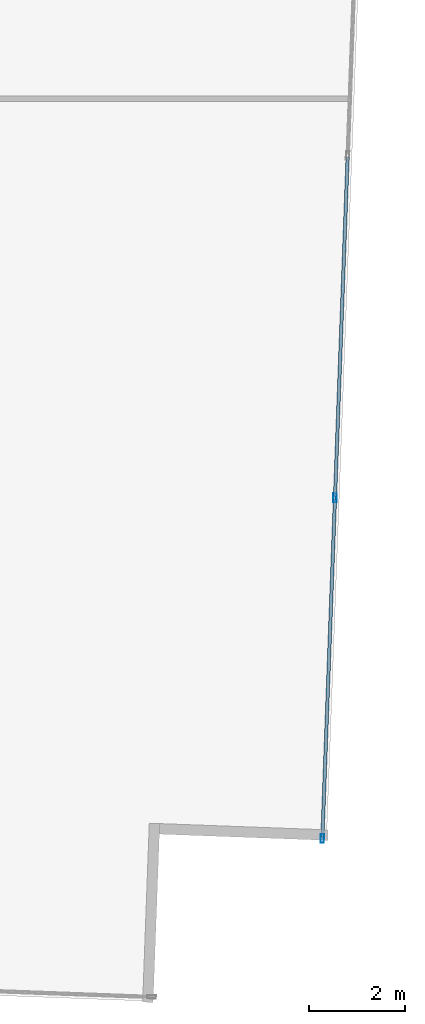
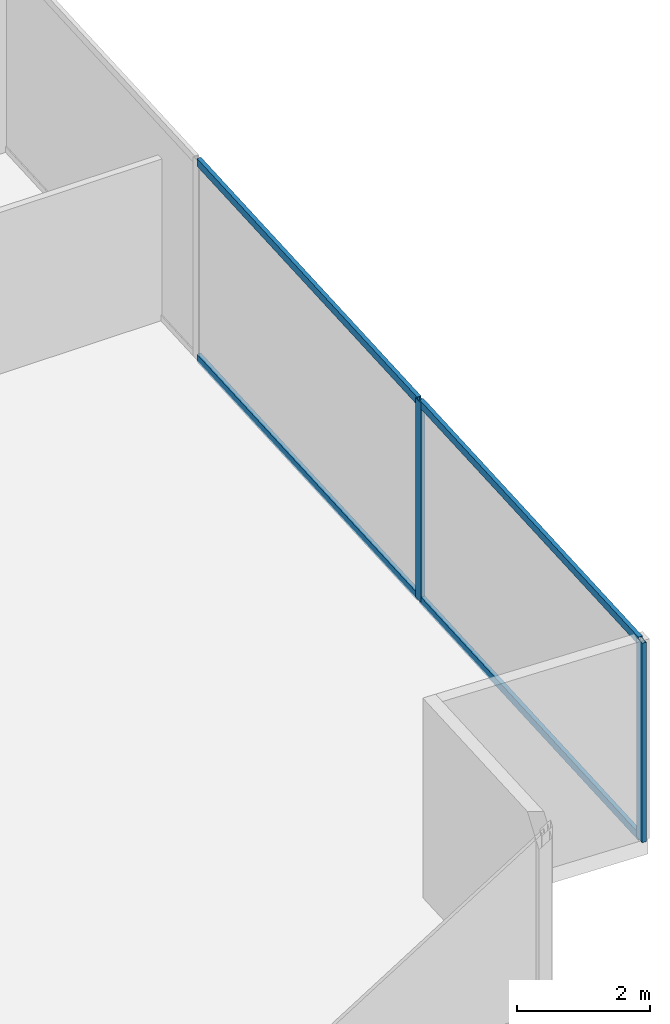
# One storey, part 14 of 30: 6 members, 1 element without a shape of its own.
"""IFC4 building model written with IfcOpenShell, lengths in metres."""

from ifc_helpers import new_model, si_unit, direction, frame, origin, origin_2d, place, context, subcontext, project, spatial, hollow_rectangle, extrude, source, transform, mapped, material, material_profile, profile_set, type_object, type_shapes, element, aggregate, save


model = new_model("IFC4")

# Units and contexts
model_context = context("Model", 3, precision=1e-05, world=origin(), true_north=direction((0.0, 1.0)))
body_context = subcontext(model_context, "Body", "Model", "MODEL_VIEW")
ifc_project = project(units=[si_unit("LENGTHUNIT", "METRE"), si_unit("AREAUNIT", "SQUARE_METRE"), si_unit("VOLUMEUNIT", "CUBIC_METRE"), si_unit("PLANEANGLEUNIT", "RADIAN"), si_unit("MASSUNIT", "GRAM", prefix="KILO")], contexts=[model_context])

# Site, building, storey
site_placement = place(None, origin())
site = spatial("IfcSite", under=ifc_project, at=site_placement, CompositionType="ELEMENT")
building_placement = place(site_placement, origin())
building = spatial("IfcBuilding", under=site, at=building_placement, Name="Krantzveldt Concourse Tower", CompositionType="ELEMENT")
storey_placement = place(building_placement, frame((0.0, 0.0, 36.85009765625)))
storey = spatial("IfcBuildingStorey", under=building, at=storey_placement, Name="L08", CompositionType="ELEMENT", Elevation=36.85009765625)

# Curtain wall, members
ifc_material = material(Name="Anodised aluminium 6063-T6", Category="aluminium")
curtain_wall_type = type_object("IfcCurtainWallType", Name="CW2", PredefinedType="USERDEFINED", material=ifc_material)
curtain_wall_placement = place(storey_placement, origin())
curtain_wall = element("IfcCurtainWall", 1, at=curtain_wall_placement, inside=storey, type_object=curtain_wall_type, Name="CW-L08-F07", ObjectType="UNITISED CURTAIN WALL", PredefinedType="USERDEFINED")
ifc_material_profile_1 = material_profile(ifc_material, hollow_rectangle(XDim=0.070068359375, YDim=0.179931640625, WallThickness=0.0048828125, at=origin_2d()), Name="Anodised aluminium 6063-T6", Category="aluminium")
ifc_profile_set_1 = profile_set([ifc_material_profile_1], Name="Anodised aluminium 6063-T6 - ALU-MULL 180x70x5")
member_type_1 = type_object("IfcMemberType", Name="CW-MUL-180", PredefinedType="MULLION", material=ifc_profile_set_1)
shared_shape_1 = source(origin(), body_context, "Body", "SweptSolid", [
    extrude(hollow_rectangle(XDim=0.070068359375, YDim=0.179931640625, WallThickness=0.0048828125, at=origin_2d()), origin(), (0.0, 0.0, 1.0), 3.669921875),
])
type_shapes(member_type_1, [shared_shape_1])
member_1_placement = place(storey_placement, frame((60.096923828125, 4.326171875, 0.0), z_axis=(0.0, 0.0, 1.0), x_axis=(-0.999312308986, 0.037079766834, 0.0)))
member_1 = element("IfcMember", 2, at=member_1_placement, type_object=member_type_1, Name="CW-Z12 mullion 1", PredefinedType="MULLION", context=body_context, shape_type="MappedRepresentation", body=[
    mapped(shared_shape_1, transform((0.0, 0.0, 0.0), x_axis=(1.0, 0.0, 0.0), y_axis=(0.0, 1.0, 0.0), z_axis=(0.0, 0.0, 1.0), scale=1.0)),
])
member_2_placement = place(storey_placement, frame((60.361328125, 11.452880859375, 0.0), z_axis=(0.0, 0.0, 1.0), x_axis=(-0.999312308986, 0.037079766834, 0.0)))
member_2 = element("IfcMember", 3, at=member_2_placement, type_object=member_type_1, Name="CW-Z12 mullion 2", PredefinedType="MULLION", context=body_context, shape_type="MappedRepresentation", body=[
    mapped(shared_shape_1, transform((0.0, 0.0, 0.0), x_axis=(1.0, 0.0, 0.0), y_axis=(0.0, 1.0, 0.0), z_axis=(0.0, 0.0, 1.0), scale=1.0)),
])
ifc_material_profile_2 = material_profile(ifc_material, hollow_rectangle(XDim=0.070068359375, YDim=0.139892578125, WallThickness=0.0048828125, at=origin_2d()), Name="Anodised aluminium 6063-T6", Category="aluminium")
ifc_profile_set_2 = profile_set([ifc_material_profile_2], Name="Anodised aluminium 6063-T6 - ALU-TRAN 140x70x5")
member_type_2 = type_object("IfcMemberType", Name="CW-TRN-150", PredefinedType="USERDEFINED", material=ifc_profile_set_2)
shared_shape_2 = source(origin(), body_context, "Body", "SweptSolid", [
    extrude(hollow_rectangle(XDim=0.070068359375, YDim=0.139892578125, WallThickness=0.0048828125, at=origin_2d()), origin(), (0.0, 0.0, 1.0), 7.0966796875),
])
member_3_placement = place(storey_placement, frame((60.36279296875, 11.48779296875, 0.034912109375), z_axis=(0.037051105127, 0.999313372075, 0.0), x_axis=(-0.999313372075, 0.037051105127, 0.0)))
member_3 = element("IfcMember", 4, at=member_3_placement, type_object=member_type_2, Name="CW-Z12 transom 2.1", ObjectType="TRANSOM", PredefinedType="USERDEFINED", context=body_context, shape_type="MappedRepresentation", body=[
    mapped(shared_shape_2, transform((0.0, 0.0, 0.0), x_axis=(1.0, 0.0, 0.0), y_axis=(0.0, 1.0, 0.0), z_axis=(0.0, 0.0, 1.0), scale=1.0)),
])
member_4_placement = place(storey_placement, frame((60.36279296875, 11.48779296875, 3.635009765625), z_axis=(0.037051105127, 0.999313372075, 0.0), x_axis=(-0.999313372075, 0.037051105127, 0.0)))
member_4 = element("IfcMember", 5, at=member_4_placement, type_object=member_type_2, Name="CW-Z12 transom 2.2", ObjectType="TRANSOM", PredefinedType="USERDEFINED", context=body_context, shape_type="MappedRepresentation", body=[
    mapped(shared_shape_2, transform((0.0, 0.0, 0.0), x_axis=(1.0, 0.0, 0.0), y_axis=(0.0, 1.0, 0.0), z_axis=(0.0, 0.0, 1.0), scale=1.0)),
])
shared_shape_3 = source(origin(), body_context, "Body", "SweptSolid", [
    extrude(hollow_rectangle(XDim=0.070068359375, YDim=0.139892578125, WallThickness=0.0048828125, at=origin_2d()), origin(), (0.0, 0.0, 1.0), 7.061767578125),
])
type_shapes(member_type_2, [shared_shape_2, shared_shape_3])
member_5_placement = place(storey_placement, frame((60.09814453125, 4.361083984375, 0.034912109375), z_axis=(0.037096054624, 0.99931170449, 0.0), x_axis=(-0.99931170449, 0.037096054624, 0.0)))
member_5 = element("IfcMember", 6, at=member_5_placement, type_object=member_type_2, Name="CW-Z12 transom 1.1", ObjectType="TRANSOM", PredefinedType="USERDEFINED", context=body_context, shape_type="MappedRepresentation", body=[
    mapped(shared_shape_3, transform((0.0, 0.0, 0.0), x_axis=(1.0, 0.0, 0.0), y_axis=(0.0, 1.0, 0.0), z_axis=(0.0, 0.0, 1.0), scale=1.0)),
])
member_6_placement = place(storey_placement, frame((60.09814453125, 4.361083984375, 3.635009765625), z_axis=(0.037096054624, 0.99931170449, 0.0), x_axis=(-0.99931170449, 0.037096054624, 0.0)))
member_6 = element("IfcMember", 7, at=member_6_placement, type_object=member_type_2, Name="CW-Z12 transom 1.2", ObjectType="TRANSOM", PredefinedType="USERDEFINED", context=body_context, shape_type="MappedRepresentation", body=[
    mapped(shared_shape_3, transform((0.0, 0.0, 0.0), x_axis=(1.0, 0.0, 0.0), y_axis=(0.0, 1.0, 0.0), z_axis=(0.0, 0.0, 1.0), scale=1.0)),
])
aggregate(curtain_wall, [member_1, member_2, member_5, member_6, member_3, member_4])

save(model, "model.ifc")
